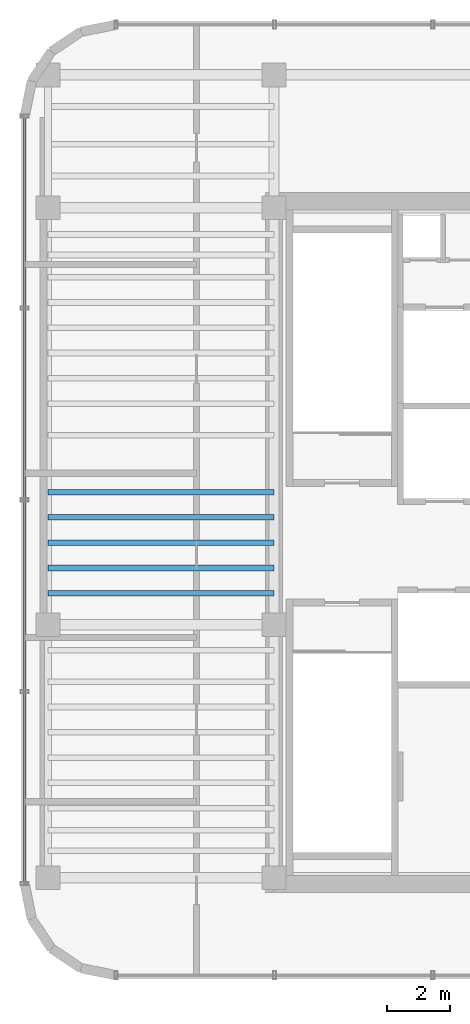
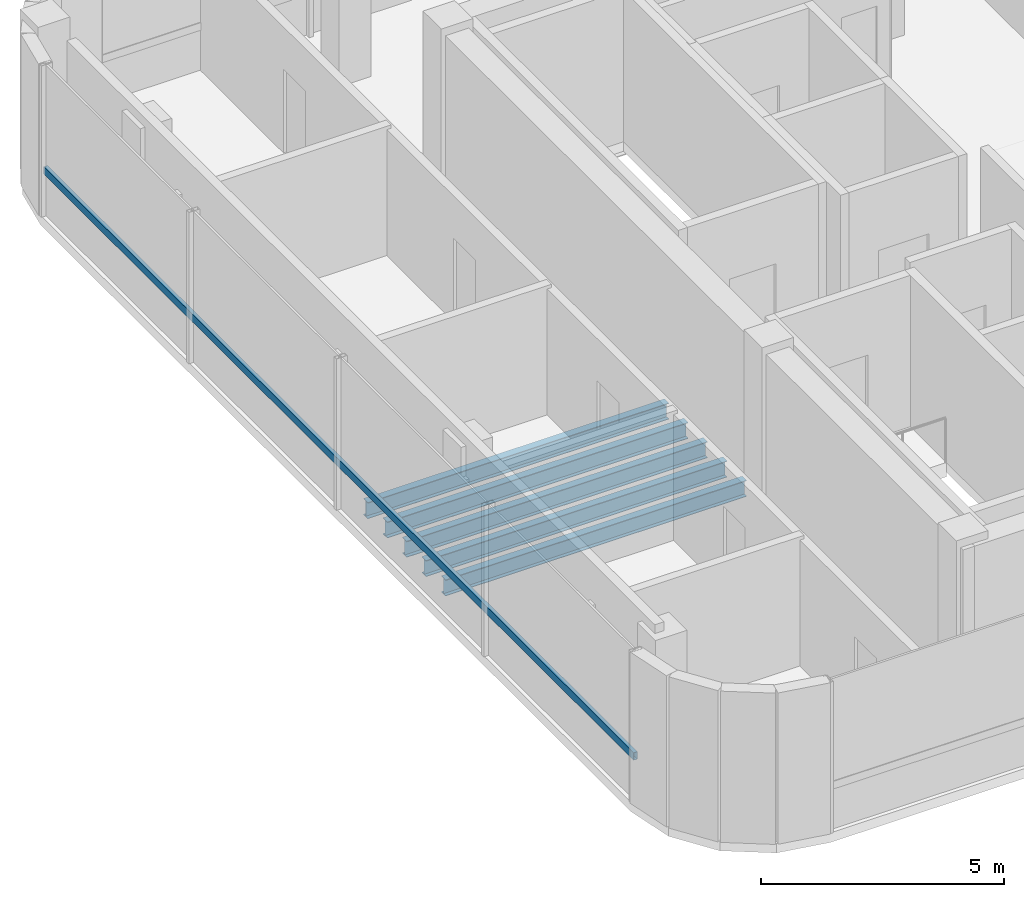
# One storey, part 4 of 11: 5 beams, 1 member, 1 element without a shape of its own.
"""IFC4 building model written with IfcOpenShell, lengths in metres."""

from ifc_helpers import new_model, si_unit, direction, frame, origin, origin_2d, place, context, subcontext, project, spatial, hollow_rectangle, i_section, extrude, source, transform, mapped, material, material_profile, profile_set, type_object, element, aggregate, save


model = new_model("IFC4")

# Units and contexts
model_context = context("Model", 3, precision=1e-05, world=origin(), true_north=direction((0.0, 1.0)))
body_context = subcontext(model_context, "Body", "Model", "MODEL_VIEW")
ifc_project = project(units=[si_unit("LENGTHUNIT", "METRE"), si_unit("AREAUNIT", "SQUARE_METRE"), si_unit("VOLUMEUNIT", "CUBIC_METRE"), si_unit("PLANEANGLEUNIT", "RADIAN"), si_unit("MASSUNIT", "GRAM", prefix="KILO")], contexts=[model_context])

# Site, building, storey
site_placement = place(None, origin())
site = spatial("IfcSite", under=ifc_project, at=site_placement, CompositionType="ELEMENT")
building_placement = place(site_placement, origin())
building = spatial("IfcBuilding", under=site, at=building_placement, Name="Valdorenza Pilgrim Sanctuary Tower", CompositionType="ELEMENT")
storey_placement = place(building_placement, frame((0.0, 0.0, 303.60009765625)))
storey = spatial("IfcBuildingStorey", under=building, at=storey_placement, Name="L79", CompositionType="ELEMENT", Elevation=303.60009765625)

# Beams
ifc_material_1 = material(Name="Steel ASTM A992 Grade 50", Category="steel")
ifc_material_profile_1 = material_profile(ifc_material_1, i_section(OverallWidth=0.177978515625, OverallDepth=0.406005859375, WebThickness=0.0078125, FlangeThickness=0.0126953125, at=origin_2d()), Name="W16X40")
ifc_profile_set_1 = profile_set([ifc_material_profile_1], Name="Steel ASTM A992 Grade 50")
beam_type = type_object("IfcBeamType", Name="STR-BM-JST-W16", PredefinedType="JOIST", material=ifc_profile_set_1)
shared_shape_1 = source(origin(), body_context, "Body", "SweptSolid", [
    extrude(i_section(OverallWidth=0.177978515625, OverallDepth=0.406005859375, WebThickness=0.0078125, FlangeThickness=0.0126953125, at=origin_2d()), origin(), (0.0, 0.0, 1.0), 7.150146484375),
])
for number, where, z_axis, x_axis, name in (
    (1, (-29.800048828125, -1.60009765625, -0.443115234375), (1.0, 0.0, 0.0), (0.0, 1.0, 0.0), "L79 Composite Floor Joist JST-WA-10"),
    (2, (-29.800048828125, -0.800048828125, -0.443115234375), (1.0, 0.0, 0.0), (0.0, 1.0, 0.0), "L79 Composite Floor Joist JST-WA-11"),
    (3, (-29.800048828125, 0.0, -0.443115234375), (1.0, 0.0, 0.0), (0.0, 1.0, 0.0), "L79 Composite Floor Joist JST-WA-12"),
    (4, (-29.800048828125, 0.800048828125, -0.443115234375), (1.0, 0.0, 0.0), (0.0, 1.0, 0.0), "L79 Composite Floor Joist JST-WA-13"),
    (5, (-29.800048828125, 1.60009765625, -0.443115234375), (1.0, 0.0, 0.0), (0.0, 1.0, 0.0), "L79 Composite Floor Joist JST-WA-14"),
):
    element("IfcBeam", number, at=place(storey_placement, frame(where, z_axis=z_axis, x_axis=x_axis)), inside=storey, type_object=beam_type, Name=name, PredefinedType="JOIST", context=body_context, shape_type="MappedRepresentation", body=[
        mapped(shared_shape_1, transform((0.0, 0.0, 0.0), x_axis=(1.0, 0.0, 0.0), y_axis=(0.0, 1.0, 0.0), z_axis=(0.0, 0.0, 1.0), scale=1.0)),
    ])

# Curtain wall, member
ifc_material_2 = material(Name="Curtain-wall IGU glazing", Category="glass")
curtain_wall_type = type_object("IfcCurtainWallType", Name="CW-SYS-06", PredefinedType="NOTDEFINED", material=ifc_material_2)
curtain_wall_placement = place(storey_placement, origin())
curtain_wall = element("IfcCurtainWall", 6, at=curtain_wall_placement, inside=storey, type_object=curtain_wall_type, Name="L79 Curtain Wall CW-L79-1-1", PredefinedType="NOTDEFINED")
ifc_material_3 = material(Name="Anodised aluminium AW-6060", Category="aluminium")
ifc_material_profile_2 = material_profile(ifc_material_3, hollow_rectangle(XDim=0.090087890625, YDim=0.18994140625, WallThickness=0.00439453125, at=origin_2d()), Name="ALU-T 190x90x4.5")
ifc_profile_set_2 = profile_set([ifc_material_profile_2], Name="Anodised aluminium AW-6060")
member_type = type_object("IfcMemberType", Name="CW-TRN-06", PredefinedType="USERDEFINED", material=ifc_profile_set_2)
shared_shape_2 = source(origin(), body_context, "Body", "SweptSolid", [
    extrude(hollow_rectangle(XDim=0.090087890625, YDim=0.18994140625, WallThickness=0.00439453125, at=origin_2d()), origin(), (0.0, 0.0, 1.0), 24.278564453125),
])
member_placement = place(storey_placement, frame((-30.5400390625, -10.789306640625, 1.119873046875), z_axis=(0.0, 1.0, 0.0), x_axis=(-1.0, 0.0, 0.0)))
member = element("IfcMember", 7, at=member_placement, type_object=member_type, Name="CW-L79-1-1 Transom 1", ObjectType="TRANSOM", PredefinedType="USERDEFINED", context=body_context, shape_type="MappedRepresentation", body=[
    mapped(shared_shape_2, transform((0.0, 0.0, 0.0), x_axis=(1.0, 0.0, 0.0), y_axis=(0.0, 1.0, 0.0), z_axis=(0.0, 0.0, 1.0), scale=1.0)),
])
aggregate(curtain_wall, [member])

save(model, "model.ifc")
